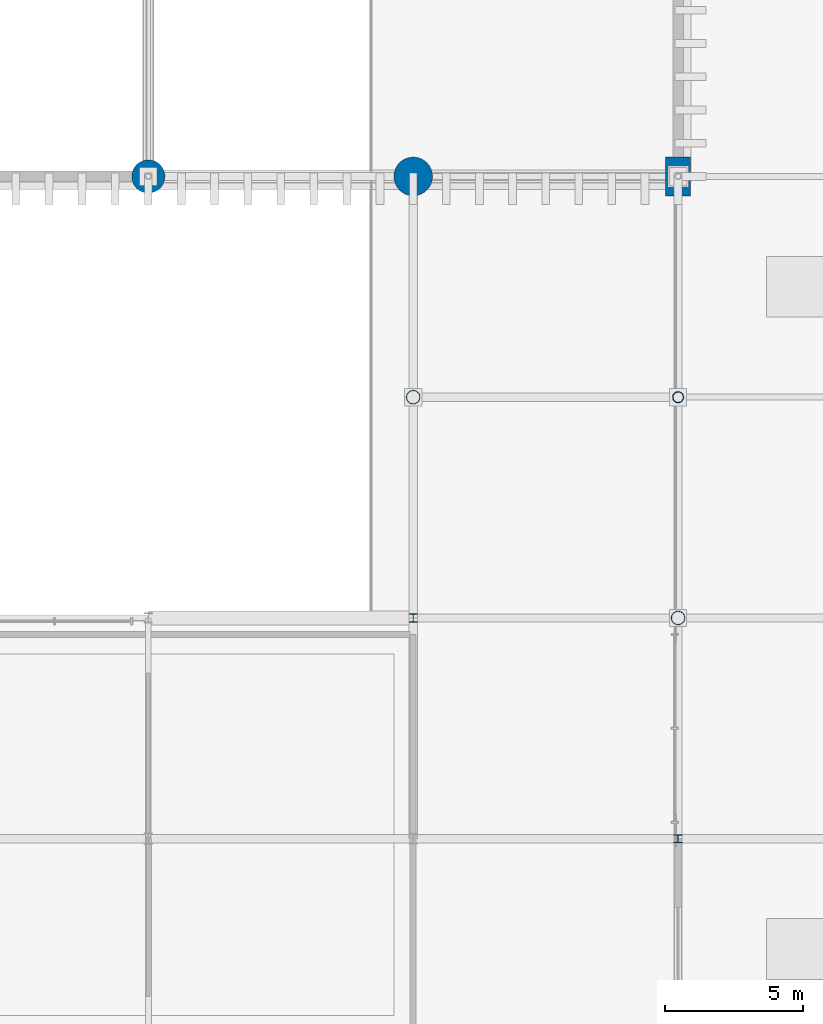
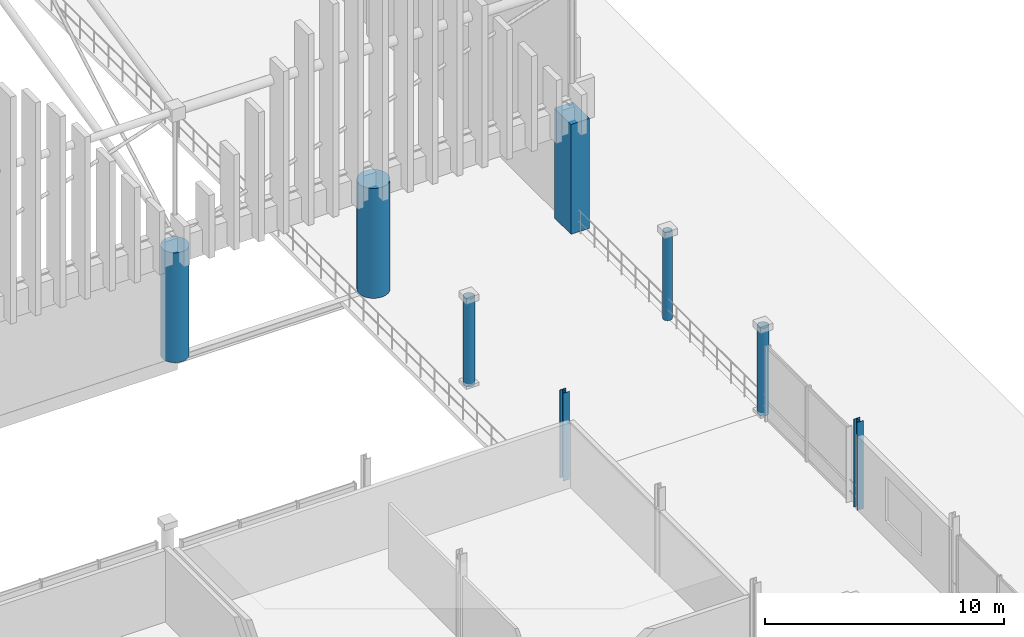
# One storey, part 8 of 193: 8 columns.
"""IFC4 building model written with IfcOpenShell, lengths in metres."""

from ifc_helpers import new_model, si_unit, direction, frame, origin, origin_2d, place, context, subcontext, project, spatial, rectangle, circle, hollow_circle, i_section, extrude, material, material_profile, profile_set, type_object, element, save


model = new_model("IFC4")

# Units and contexts
model_context = context("Model", 3, precision=1e-05, world=origin(), true_north=direction((0.0, 1.0)))
body_context = subcontext(model_context, "Body", "Model", "MODEL_VIEW")
ifc_project = project(units=[si_unit("LENGTHUNIT", "METRE"), si_unit("AREAUNIT", "SQUARE_METRE"), si_unit("VOLUMEUNIT", "CUBIC_METRE"), si_unit("PLANEANGLEUNIT", "RADIAN"), si_unit("MASSUNIT", "GRAM", prefix="KILO")], contexts=[model_context])

# Site, building, storey
site_placement = place(None, origin())
site = spatial("IfcSite", under=ifc_project, at=site_placement, CompositionType="ELEMENT")
building_placement = place(site_placement, origin())
building = spatial("IfcBuilding", under=site, at=building_placement, Name="Danafjord Basin Convention Centre", CompositionType="ELEMENT")
storey_placement = place(building_placement, frame((0.0, 0.0, 11.39990234375)))
storey = spatial("IfcBuildingStorey", under=building, at=storey_placement, Name="L02", CompositionType="ELEMENT", Elevation=11.39990234375)

# Columns
ifc_material_1 = material(Name="Steel S355", Category="steel")
ifc_material_profile_1 = material_profile(ifc_material_1, hollow_circle(Radius=0.203125, WallThickness=0.02001953125, at=origin_2d()), Name="CHS 406.4x20.0")
ifc_profile_set_1 = profile_set([ifc_material_profile_1], Name="Steel S355")
column_type_1 = type_object("IfcColumnType", Name="COL-C-CHS406", PredefinedType="COLUMN", material=ifc_profile_set_1)
column_1_placement = place(storey_placement, frame((115.199951171875, 48.0, 0.0), z_axis=(0.0, 0.0, 1.0), x_axis=(1.0, 0.0, 0.0)))
element("IfcColumn", 1, at=column_1_placement, inside=storey, type_object=column_type_1, Name="L02 column C-CHS406 at (115.2, 48.0)", PredefinedType="COLUMN", context=body_context, shape_type="SweptSolid", body=[
    extrude(hollow_circle(Radius=0.203125, WallThickness=0.02001953125, at=origin_2d()), origin(), (0.0, 0.0, 1.0), 4.5),
])
ifc_material_profile_2 = material_profile(ifc_material_1, hollow_circle(Radius=0.25390625, WallThickness=0.02490234375, at=origin_2d()), Name="CHS 508.0x25.0")
ifc_profile_set_2 = profile_set([ifc_material_profile_2], Name="Steel S355")
column_type_2 = type_object("IfcColumnType", Name="COL-C-CHS508", PredefinedType="COLUMN", material=ifc_profile_set_2)
for number, where, z_axis, x_axis, name in (
    (2, (105.60009765625, 48.0, 0.0), (0.0, 0.0, 1.0), (1.0, 0.0, 0.0), "L02 column C-CHS508 at (105.6, 48.0)"),
    (3, (115.199951171875, 40.0, 0.0), (0.0, 0.0, 1.0), (1.0, 0.0, 0.0), "L02 column C-CHS508 at (115.2, 40.0)"),
):
    element("IfcColumn", number, at=place(storey_placement, frame(where, z_axis=z_axis, x_axis=x_axis)), inside=storey, type_object=column_type_2, Name=name, PredefinedType="COLUMN", context=body_context, shape_type="SweptSolid", body=[
        extrude(hollow_circle(Radius=0.25390625, WallThickness=0.02490234375, at=origin_2d()), origin(), (0.0, 0.0, 1.0), 4.5),
    ])
ifc_material_profile_3 = material_profile(ifc_material_1, i_section(OverallWidth=0.300048828125, OverallDepth=0.300048828125, WebThickness=0.010986328125, FlangeThickness=0.01904296875, FilletRadius=0.027099609375, at=origin_2d()), Name="HEB 300")
ifc_profile_set_3 = profile_set([ifc_material_profile_3], Name="Steel S355")
column_type_3 = type_object("IfcColumnType", Name="COL-C-HEB300", PredefinedType="COLUMN", material=ifc_profile_set_3)
for number, where, z_axis, x_axis, name in (
    (4, (105.60009765625, 40.0, 0.0), (0.0, 0.0, 1.0), (1.0, 0.0, 0.0), "L02 column C-HEB300 at (105.6, 40.0)"),
    (5, (115.199951171875, 32.0, 0.0), (0.0, 0.0, 1.0), (1.0, 0.0, 0.0), "L02 column C-HEB300 at (115.2, 32.0)"),
):
    element("IfcColumn", number, at=place(storey_placement, frame(where, z_axis=z_axis, x_axis=x_axis)), inside=storey, type_object=column_type_3, Name=name, PredefinedType="COLUMN", context=body_context, shape_type="SweptSolid", body=[
        extrude(i_section(OverallWidth=0.300048828125, OverallDepth=0.300048828125, WebThickness=0.010986328125, FlangeThickness=0.01904296875, FilletRadius=0.027099609375, at=origin_2d()), origin(), (0.0, 0.0, 1.0), 4.5),
    ])
ifc_material_2 = material(Name="Concrete C50/60", Category="concrete")
ifc_material_profile_4 = material_profile(ifc_material_2, rectangle(XDim=0.89990234375, YDim=1.39990234375, at=origin_2d()), Name="RC 1400x900")
ifc_profile_set_4 = profile_set([ifc_material_profile_4], Name="Concrete C50/60")
column_type_4 = type_object("IfcColumnType", Name="COL-C-RC1400", PredefinedType="COLUMN", material=ifc_profile_set_4)
column_2_placement = place(storey_placement, frame((115.199951171875, 56.0, 0.0), z_axis=(0.0, 0.0, 1.0), x_axis=(1.0, 0.0, 0.0)))
element("IfcColumn", 6, at=column_2_placement, inside=storey, type_object=column_type_4, Name="L02 column C-RC1400 at (115.2, 56.0)", PredefinedType="COLUMN", context=body_context, shape_type="SweptSolid", body=[
    extrude(rectangle(XDim=0.89990234375, YDim=1.39990234375, at=origin_2d()), origin(), (0.0, 0.0, 1.0), 5.6201171875),
])
ifc_material_profile_5 = material_profile(ifc_material_2, circle(Radius=0.60009765625, at=origin_2d()), Name="RC D1200")
ifc_profile_set_5 = profile_set([ifc_material_profile_5], Name="Concrete C50/60")
column_type_5 = type_object("IfcColumnType", Name="COL-C-RCD1200", PredefinedType="COLUMN", material=ifc_profile_set_5)
column_3_placement = place(storey_placement, frame((96.0, 56.0, 0.0), z_axis=(0.0, 0.0, 1.0), x_axis=(1.0, 0.0, 0.0)))
element("IfcColumn", 7, at=column_3_placement, inside=storey, type_object=column_type_5, Name="L02 column C-RCD1200 at (96.0, 56.0)", PredefinedType="COLUMN", context=body_context, shape_type="SweptSolid", body=[
    extrude(circle(Radius=0.60009765625, at=origin_2d()), origin(), (0.0, 0.0, 1.0), 5.6201171875),
])
ifc_material_profile_6 = material_profile(ifc_material_2, circle(Radius=0.699951171875, at=origin_2d()), Name="RC D1400")
ifc_profile_set_6 = profile_set([ifc_material_profile_6], Name="Concrete C50/60")
column_type_6 = type_object("IfcColumnType", Name="COL-C-RCD1400", PredefinedType="COLUMN", material=ifc_profile_set_6)
column_4_placement = place(storey_placement, frame((105.60009765625, 56.0, 0.0), z_axis=(0.0, 0.0, 1.0), x_axis=(1.0, 0.0, 0.0)))
element("IfcColumn", 8, at=column_4_placement, inside=storey, type_object=column_type_6, Name="L02 column C-RCD1400 at (105.6, 56.0)", PredefinedType="COLUMN", context=body_context, shape_type="SweptSolid", body=[
    extrude(circle(Radius=0.699951171875, at=origin_2d()), origin(), (0.0, 0.0, 1.0), 5.6201171875),
])

save(model, "model.ifc")
